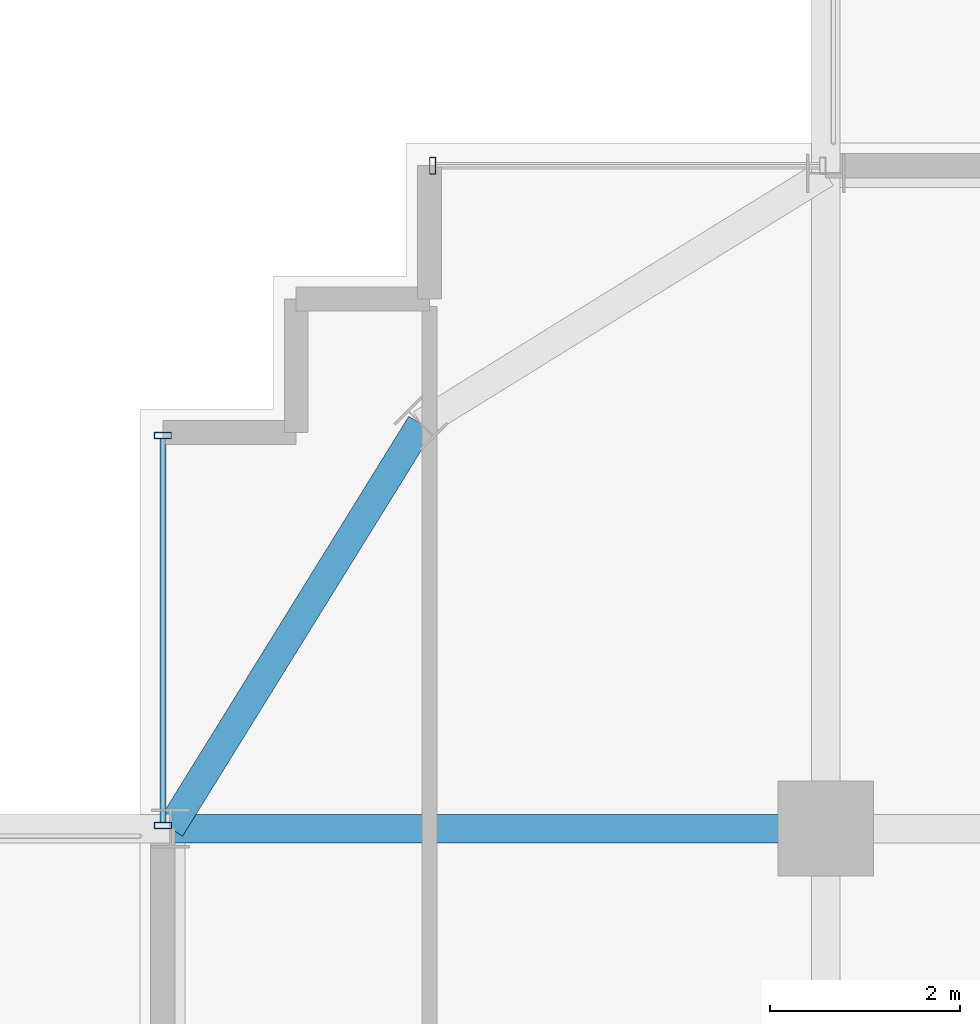
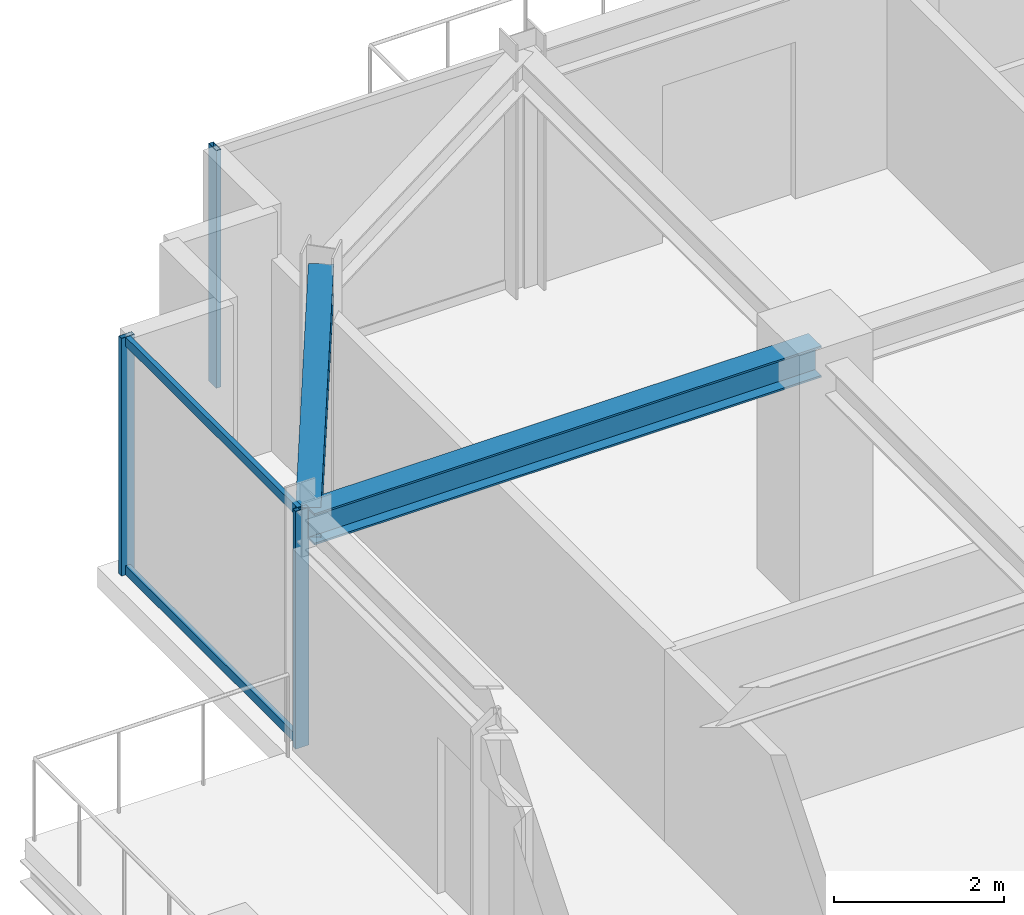
# One storey, part 20 of 36: 5 members, 2 beams, 2 elements without a shape of their own.
"""IFC4 building model written with IfcOpenShell, lengths in metres."""

from ifc_helpers import new_model, si_unit, direction, frame, origin, origin_2d, place, context, subcontext, project, spatial, hollow_rectangle, i_section, extrude, source, transform, mapped, material, material_profile, profile_set, type_object, element, aggregate, save


model = new_model("IFC4")

# Units and contexts
model_context = context("Model", 3, precision=1e-05, world=origin(), true_north=direction((0.0, 1.0)))
body_context = subcontext(model_context, "Body", "Model", "MODEL_VIEW")
ifc_project = project(units=[si_unit("LENGTHUNIT", "METRE"), si_unit("AREAUNIT", "SQUARE_METRE"), si_unit("VOLUMEUNIT", "CUBIC_METRE"), si_unit("PLANEANGLEUNIT", "RADIAN"), si_unit("MASSUNIT", "GRAM", prefix="KILO")], contexts=[model_context])

# Site, building, storey
site_placement = place(None, origin())
site = spatial("IfcSite", under=ifc_project, at=site_placement, CompositionType="ELEMENT")
building_placement = place(site_placement, origin())
building = spatial("IfcBuilding", under=site, at=building_placement, Name="Nahalor Promenade Grand Hotel", CompositionType="ELEMENT")
storey_placement = place(building_placement, frame((0.0, 0.0, 241.89990234375)))
storey = spatial("IfcBuildingStorey", under=building, at=storey_placement, Name="L62", CompositionType="ELEMENT", Elevation=241.89990234375)

# Beams
ifc_material_1 = material(Name="Steel S355JR", Category="steel")
ifc_material_profile_1 = material_profile(ifc_material_1, i_section(OverallWidth=0.3, OverallDepth=0.45, WebThickness=0.014, FlangeThickness=0.026, at=origin_2d()), Name="HEB 450")
ifc_profile_set_1 = profile_set([ifc_material_profile_1], Name="Steel S355JR")
beam_type_1 = type_object("IfcBeamType", Name="Beam-Spandrel-HEB450", PredefinedType="SPANDREL", material=ifc_profile_set_1)
shared_shape_1 = source(origin(), body_context, "Body", "SweptSolid", [
    extrude(i_section(OverallWidth=0.3, OverallDepth=0.45, WebThickness=0.014, FlangeThickness=0.026, at=origin_2d()), origin(), (0.0, 0.0, 1.0), 4.997802734375),
])
beam_1_placement = place(storey_placement, frame((-21.25, 21.25, 3.18505859375), z_axis=(-0.526199891161, -0.850360908404, 0.0), x_axis=(0.850360908404, -0.526199891161, 0.0)))
element("IfcBeam", 1, at=beam_1_placement, inside=storey, type_object=beam_type_1, Name="BM-L62-SPC-NW-2", PredefinedType="SPANDREL", context=body_context, shape_type="MappedRepresentation", body=[
    mapped(shared_shape_1, transform((0.0, 0.0, 0.0), scale=1.0)),
])
ifc_material_profile_2 = material_profile(ifc_material_1, i_section(OverallWidth=0.3, OverallDepth=0.45, WebThickness=0.014, FlangeThickness=0.026, at=origin_2d()), Name="HEB 450")
ifc_profile_set_2 = profile_set([ifc_material_profile_2], Name="Steel S355JR")
beam_type_2 = type_object("IfcBeamType", Name="Beam-Girder-HEB450", PredefinedType="BEAM", material=ifc_profile_set_2)
shared_shape_2 = source(origin(), body_context, "Body", "SweptSolid", [
    extrude(i_section(OverallWidth=0.3, OverallDepth=0.45, WebThickness=0.014, FlangeThickness=0.026, at=origin_2d()), origin(), (0.0, 0.0, 1.0), 6.8798828125),
])
beam_2_placement = place(storey_placement, frame((-23.8798828125, 17.0, 3.18505859375), z_axis=(1.0, 0.0, 0.0), x_axis=(0.0, 1.0, 0.0)))
element("IfcBeam", 2, at=beam_2_placement, inside=storey, type_object=beam_type_2, Name="BM-L62-GX-3-0", PredefinedType="BEAM", context=body_context, shape_type="MappedRepresentation", body=[
    mapped(shared_shape_2, transform((0.0, 0.0, 0.0), scale=1.0)),
])

# Curtain wall, member
ifc_material_2 = material(Name="Anodised Bronze Aluminium EN AW-6063 T6", Category="aluminium")
curtain_wall_type = type_object("IfcCurtainWallType", Name="CW2 Typical Hotel Flush Bronze Unitised Curtain Wall", PredefinedType="USERDEFINED", material=ifc_material_2)
curtain_wall_1_placement = place(storey_placement, origin())
curtain_wall_1 = element("IfcCurtainWall", 3, at=curtain_wall_1_placement, inside=storey, type_object=curtain_wall_type, Name="L62 Curtain Wall CW-L62-N-1", ObjectType="UNITISED_CURTAIN_WALL", PredefinedType="USERDEFINED")
ifc_material_profile_3 = material_profile(ifc_material_2, hollow_rectangle(XDim=0.065, YDim=0.18, WallThickness=0.004, at=origin_2d()), Name="CWM 65x180x4")
ifc_profile_set_3 = profile_set([ifc_material_profile_3], Name="Anodised Bronze Aluminium EN AW-6063 T6")
member_type_1 = type_object("IfcMemberType", Name="CWM2 Typical Bronze Mullion 65x180", PredefinedType="MULLION", material=ifc_profile_set_3)
shared_shape_3 = source(origin(), body_context, "Body", "SweptSolid", [
    extrude(hollow_rectangle(XDim=0.065, YDim=0.18, WallThickness=0.004, at=origin_2d()), origin(), (0.0, 0.0, 1.0), 3.41015625),
])
member_1_placement = place(storey_placement, frame((-21.12744140625, 23.9599609375, 0.0), z_axis=(0.0, 0.0, 1.0), x_axis=(1.0, 0.0, 0.0)))
member_1 = element("IfcMember", 4, at=member_1_placement, type_object=member_type_1, Name="CW-L62-N-1 Mullion 0", PredefinedType="MULLION", context=body_context, shape_type="MappedRepresentation", body=[
    mapped(shared_shape_3, transform((0.0, 0.0, 0.0), scale=1.0)),
])
aggregate(curtain_wall_1, [member_1])

# Curtain wall, members
curtain_wall_2_placement = place(storey_placement, origin())
curtain_wall_2 = element("IfcCurtainWall", 5, at=curtain_wall_2_placement, inside=storey, type_object=curtain_wall_type, Name="L62 Curtain Wall CW-L62-W-3", ObjectType="UNITISED_CURTAIN_WALL", PredefinedType="USERDEFINED")
member_2_placement = place(storey_placement, frame((-23.9599609375, 17.032470703125, 0.0), z_axis=(0.0, 0.0, 1.0), x_axis=(0.0, 1.0, 0.0)))
member_2 = element("IfcMember", 6, at=member_2_placement, type_object=member_type_1, Name="CW-L62-W-3 Mullion 0", PredefinedType="MULLION", context=body_context, shape_type="MappedRepresentation", body=[
    mapped(shared_shape_3, transform((0.0, 0.0, 0.0), scale=1.0)),
])
member_3_placement = place(storey_placement, frame((-23.9599609375, 21.12744140625, 0.0), z_axis=(0.0, 0.0, 1.0), x_axis=(0.0, 1.0, 0.0)))
member_3 = element("IfcMember", 7, at=member_3_placement, type_object=member_type_1, Name="CW-L62-W-3 Mullion 1", PredefinedType="MULLION", context=body_context, shape_type="MappedRepresentation", body=[
    mapped(shared_shape_3, transform((0.0, 0.0, 0.0), scale=1.0)),
])
ifc_material_profile_4 = material_profile(ifc_material_2, hollow_rectangle(XDim=0.065, YDim=0.13, WallThickness=0.004, at=origin_2d()), Name="CWT 65x130x4")
ifc_profile_set_4 = profile_set([ifc_material_profile_4], Name="Anodised Bronze Aluminium EN AW-6063 T6")
member_type_2 = type_object("IfcMemberType", Name="CWT2 Typical Bronze Transom 65x130", PredefinedType="USERDEFINED", material=ifc_profile_set_4)
shared_shape_4 = source(origin(), body_context, "Body", "SweptSolid", [
    extrude(hollow_rectangle(XDim=0.065, YDim=0.13, WallThickness=0.004, at=origin_2d()), origin(), (0.0, 0.0, 1.0), 4.030029296875),
])
member_4_placement = place(storey_placement, frame((-23.9599609375, 17.06494140625, 0.065185546875), z_axis=(0.0, 1.0, 0.0), x_axis=(-1.0, 0.0, 0.0)))
member_4 = element("IfcMember", 8, at=member_4_placement, type_object=member_type_2, Name="CW-L62-W-3 Transom 0-0", ObjectType="TRANSOM", PredefinedType="USERDEFINED", context=body_context, shape_type="MappedRepresentation", body=[
    mapped(shared_shape_4, transform((0.0, 0.0, 0.0), scale=1.0)),
])
member_5_placement = place(storey_placement, frame((-23.9599609375, 17.06494140625, 3.34521484375), z_axis=(0.0, 1.0, 0.0), x_axis=(-1.0, 0.0, 0.0)))
member_5 = element("IfcMember", 9, at=member_5_placement, type_object=member_type_2, Name="CW-L62-W-3 Transom 0-1", ObjectType="TRANSOM", PredefinedType="USERDEFINED", context=body_context, shape_type="MappedRepresentation", body=[
    mapped(shared_shape_4, transform((0.0, 0.0, 0.0), scale=1.0)),
])
aggregate(curtain_wall_2, [member_2, member_3, member_4, member_5])

save(model, "model.ifc")
